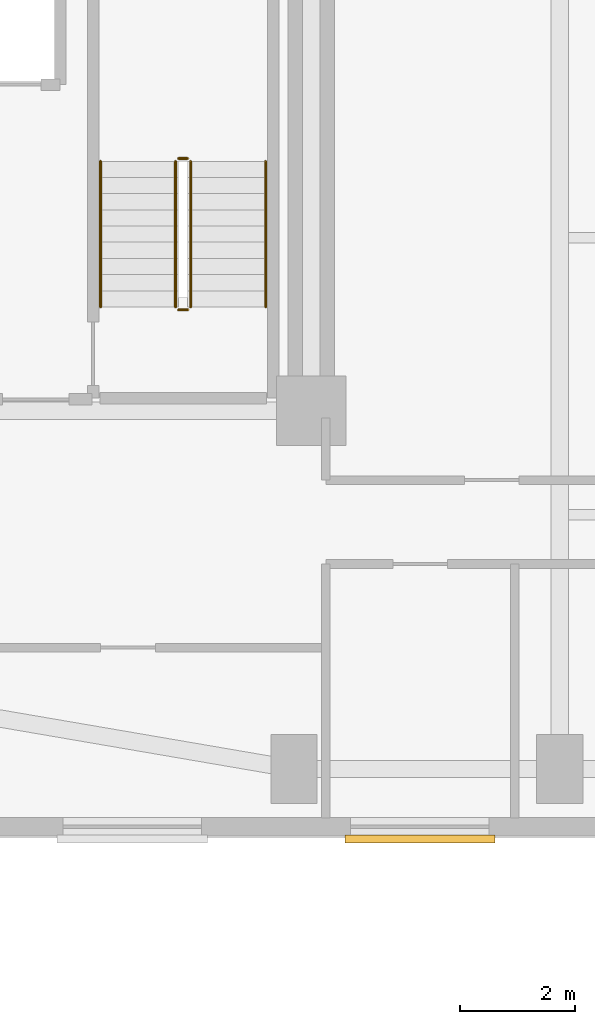
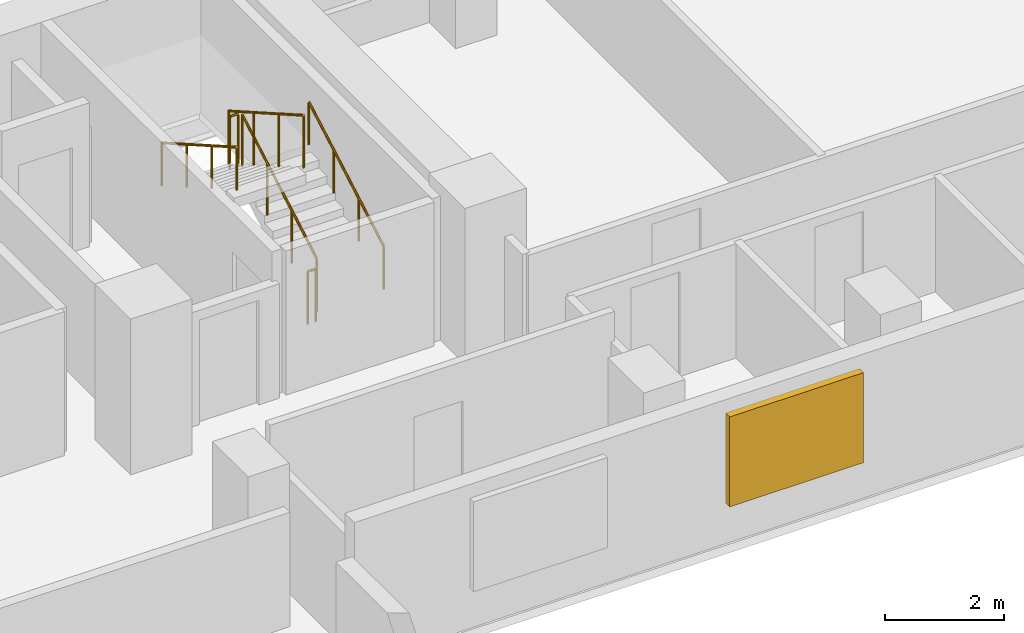
# One storey, part 14 of 15: 6 railings, 1 shading device.
"""IFC4 building model written with IfcOpenShell, lengths in metres."""

from ifc_helpers import new_model, si_unit, direction, frame, origin, origin_2d, place, context, subcontext, project, spatial, rectangle, circle, extrude, material, layer, layer_set, type_object, element, save


model = new_model("IFC4")

# Units and contexts
model_context = context("Model", 3, precision=1e-05, world=origin(), true_north=direction((0.0, 1.0)))
body_context = subcontext(model_context, "Body", "Model", "MODEL_VIEW")
ifc_project = project(units=[si_unit("LENGTHUNIT", "METRE"), si_unit("AREAUNIT", "SQUARE_METRE"), si_unit("VOLUMEUNIT", "CUBIC_METRE"), si_unit("PLANEANGLEUNIT", "RADIAN"), si_unit("MASSUNIT", "GRAM", prefix="KILO")], contexts=[model_context])

# Site, building, storey
site_placement = place(None, origin())
site = spatial("IfcSite", under=ifc_project, at=site_placement, CompositionType="ELEMENT")
building_placement = place(site_placement, origin())
building = spatial("IfcBuilding", under=site, at=building_placement, Name="Kuzgunbayir Cultural Tower", CompositionType="ELEMENT")
storey_placement = place(building_placement, frame((0.0, 0.0, 72.39990234375)))
storey = spatial("IfcBuildingStorey", under=building, at=storey_placement, Name="L20", CompositionType="ELEMENT", Elevation=72.39990234375)

# Railings
ifc_material_1 = material(Name="Brushed Stainless Steel", Category="steel")
ifc_layer_1 = layer(ifc_material_1, 0.050048828125)
ifc_layer_set_1 = layer_set([ifc_layer_1], Name="Brushed Stainless Steel")
railing_type_1 = type_object("IfcRailingType", Name="RLG-STAIR-HANDRAIL", PredefinedType="HANDRAIL", material=ifc_layer_set_1)
railing_1_placement = place(storey_placement, frame((26.110107421875, 35.60009765625, 0.16015625)))
element("IfcRailing", 1, at=railing_1_placement, inside=storey, type_object=railing_type_1, Name="L20 ST-2 stair handrail 1", PredefinedType="HANDRAIL", context=body_context, shape_type="SweptSolid", body=[
    extrude(circle(Radius=0.02392578125, at=origin_2d()), frame((0.0, 0.0, 0.8759765625), z_axis=(0.0, 0.868253494771, 0.496120820787), x_axis=(-1.0, 0.0, 0.0)), (0.0, 0.0, 1.0), 2.90234375),
    extrude(circle(Radius=0.02099609375, at=origin_2d()), origin(), (0.0, 0.0, 1.0), 0.851806640625),
    extrude(circle(Radius=0.02099609375, at=origin_2d()), frame((0.0, 0.840087890625, 0.47998046875)), (0.0, 0.0, 1.0), 0.851806640625),
    extrude(circle(Radius=0.02099609375, at=origin_2d()), frame((0.0, 1.679931640625, 0.9599609375)), (0.0, 0.0, 1.0), 0.851806640625),
    extrude(circle(Radius=0.02099609375, at=origin_2d()), frame((0.0, 2.52001953125, 1.43994140625)), (0.0, 0.0, 1.0), 0.851806640625),
])
railing_2_placement = place(storey_placement, frame((23.25, 38.1201171875, 1.760009765625)))
element("IfcRailing", 2, at=railing_2_placement, inside=storey, type_object=railing_type_1, Name="L20 ST-2 stair handrail 2", PredefinedType="HANDRAIL", context=body_context, shape_type="SweptSolid", body=[
    extrude(circle(Radius=0.02392578125, at=origin_2d()), frame((0.0, 0.0, 0.8759765625), z_axis=(0.0, -0.868217259934, 0.496184229447), x_axis=(1.0, 0.0, 0.0)), (0.0, 0.0, 1.0), 2.902587890625),
    extrude(circle(Radius=0.02099609375, at=origin_2d()), origin(), (0.0, 0.0, 1.0), 0.851806640625),
    extrude(circle(Radius=0.02099609375, at=origin_2d()), frame((0.0, -0.840087890625, 0.47998046875)), (0.0, 0.0, 1.0), 0.851806640625),
    extrude(circle(Radius=0.02099609375, at=origin_2d()), frame((0.0, -1.679931640625, 0.960205078125)), (0.0, 0.0, 1.0), 0.851806640625),
    extrude(circle(Radius=0.02099609375, at=origin_2d()), frame((0.0, -2.52001953125, 1.440185546875)), (0.0, 0.0, 1.0), 0.851806640625),
])
ifc_material_2 = material(Name="Painted Steel Balustrade", Category="steel")
ifc_layer_2 = layer(ifc_material_2, 0.06005859375)
ifc_layer_set_2 = layer_set([ifc_layer_2], Name="Painted Steel Balustrade")
railing_type_2 = type_object("IfcRailingType", Name="RLG-WELL-GUARD", PredefinedType="GUARDRAIL", material=ifc_layer_set_2)
railing_3_placement = place(storey_placement, frame((24.81005859375, 35.60009765625, 0.16015625)))
element("IfcRailing", 3, at=railing_3_placement, inside=storey, type_object=railing_type_2, Name="L20 ST-2 stair guard 1", PredefinedType="GUARDRAIL", context=body_context, shape_type="SweptSolid", body=[
    extrude(circle(Radius=0.02392578125, at=origin_2d()), frame((0.0, 0.0, 1.076171875), z_axis=(0.0, 0.868253494771, 0.496120820787), x_axis=(-1.0, 0.0, 0.0)), (0.0, 0.0, 1.0), 2.90234375),
    extrude(circle(Radius=0.02099609375, at=origin_2d()), origin(), (0.0, 0.0, 1.0), 1.052001953125),
    extrude(circle(Radius=0.02099609375, at=origin_2d()), frame((0.0, 0.840087890625, 0.47998046875)), (0.0, 0.0, 1.0), 1.052001953125),
    extrude(circle(Radius=0.02099609375, at=origin_2d()), frame((0.0, 1.679931640625, 0.9599609375)), (0.0, 0.0, 1.0), 1.052001953125),
    extrude(circle(Radius=0.02099609375, at=origin_2d()), frame((0.0, 2.52001953125, 1.43994140625)), (0.0, 0.0, 1.0), 1.052001953125),
])
railing_4_placement = place(storey_placement, frame((24.760009765625, 38.169921875, 1.60009765625)))
element("IfcRailing", 4, at=railing_4_placement, inside=storey, type_object=railing_type_2, Name="L20 ST-2 stair guard 2", PredefinedType="GUARDRAIL", context=body_context, shape_type="SweptSolid", body=[
    extrude(circle(Radius=0.02392578125, at=origin_2d()), frame((0.0, 0.0, 1.076171875), z_axis=(-1.0, 0.0, 0.0), x_axis=(0.0, -1.0, 0.0)), (0.0, 0.0, 1.0), 0.159912109375),
    extrude(circle(Radius=0.02099609375, at=origin_2d()), origin(), (0.0, 0.0, 1.0), 1.052001953125),
    extrude(circle(Radius=0.02099609375, at=origin_2d()), frame((-0.159912109375, 0.0, 0.0)), (0.0, 0.0, 1.0), 1.052001953125),
])
railing_5_placement = place(storey_placement, frame((24.550048828125, 38.1201171875, 1.760009765625)))
element("IfcRailing", 5, at=railing_5_placement, inside=storey, type_object=railing_type_2, Name="L20 ST-2 stair guard 3", PredefinedType="GUARDRAIL", context=body_context, shape_type="SweptSolid", body=[
    extrude(circle(Radius=0.02392578125, at=origin_2d()), frame((0.0, 0.0, 1.076171875), z_axis=(0.0, -0.868217259934, 0.496184229447), x_axis=(1.0, 0.0, 0.0)), (0.0, 0.0, 1.0), 2.902587890625),
    extrude(circle(Radius=0.02099609375, at=origin_2d()), origin(), (0.0, 0.0, 1.0), 1.052001953125),
    extrude(circle(Radius=0.02099609375, at=origin_2d()), frame((0.0, -0.840087890625, 0.47998046875)), (0.0, 0.0, 1.0), 1.052001953125),
    extrude(circle(Radius=0.02099609375, at=origin_2d()), frame((0.0, -1.679931640625, 0.960205078125)), (0.0, 0.0, 1.0), 1.052001953125),
    extrude(circle(Radius=0.02099609375, at=origin_2d()), frame((0.0, -2.52001953125, 1.440185546875)), (0.0, 0.0, 1.0), 1.052001953125),
])
railing_6_placement = place(storey_placement, frame((24.760009765625, 35.550048828125, 0.0)))
element("IfcRailing", 6, at=railing_6_placement, inside=storey, type_object=railing_type_2, Name="L20 ST-2 stair guard 4", PredefinedType="GUARDRAIL", context=body_context, shape_type="SweptSolid", body=[
    extrude(circle(Radius=0.02392578125, at=origin_2d()), frame((0.0, 0.0, 1.076171875), z_axis=(-1.0, 0.0, 0.0), x_axis=(0.0, -1.0, 0.0)), (0.0, 0.0, 1.0), 0.159912109375),
    extrude(circle(Radius=0.02099609375, at=origin_2d()), origin(), (0.0, 0.0, 1.0), 1.052001953125),
    extrude(circle(Radius=0.02099609375, at=origin_2d()), frame((-0.159912109375, 0.0, 0.0)), (0.0, 0.0, 1.0), 1.052001953125),
])

# Shading device
ifc_material_3 = material(Name="Perforated Bronze-Anodised Aluminium", Category="aluminium")
shading_device_type = type_object("IfcShadingDeviceType", Name="SHD-SOLAR-BRONZE", PredefinedType="JALOUSIE", material=ifc_material_3)
shading_device_placement = place(storey_placement, frame((28.780029296875, 26.389892578125, 0.824951171875), z_axis=(0.0, 0.0, 1.0), x_axis=(1.0, 0.0, 0.0)))
element("IfcShadingDevice", 7, at=shading_device_placement, inside=storey, type_object=shading_device_type, Name="L20 Solar Screen WBS3", PredefinedType="JALOUSIE", context=body_context, shape_type="SweptSolid", body=[
    extrude(rectangle(XDim=2.60009765625, YDim=0.139892578125, at=origin_2d()), origin(), (0.0, 0.0, 1.0), 1.85009765625),
])

save(model, "model.ifc")
